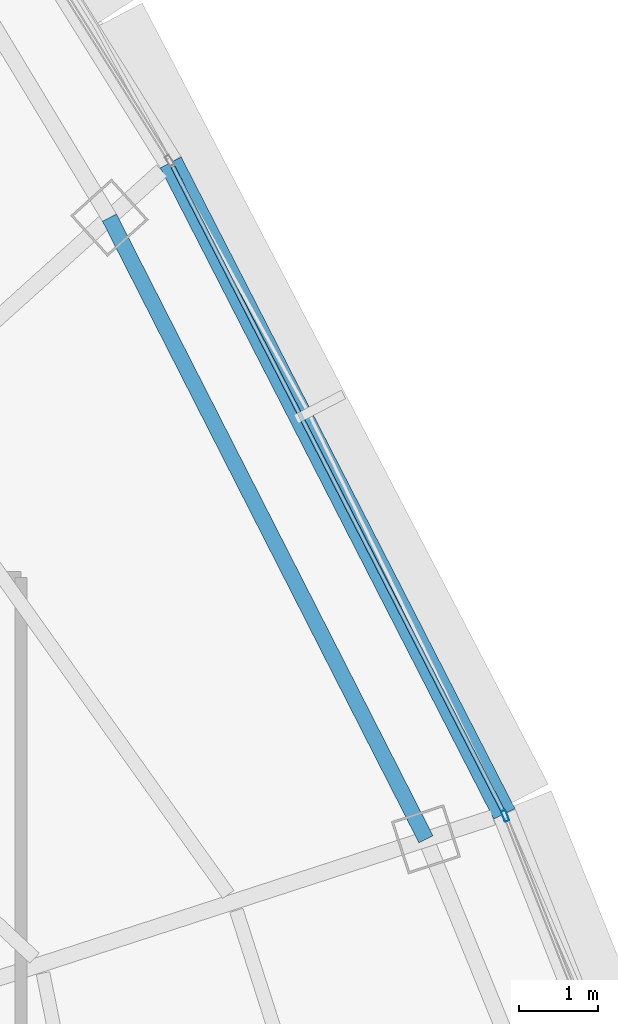
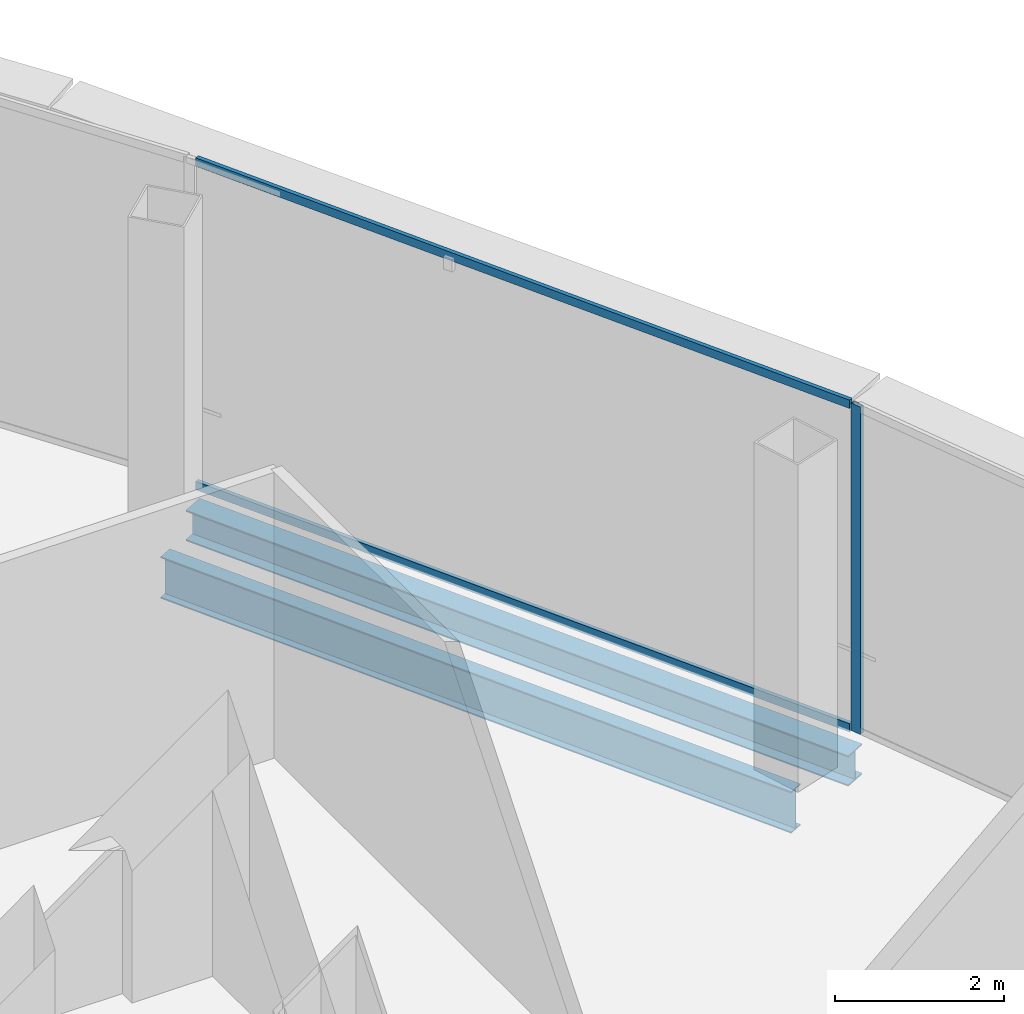
# One storey, part 16 of 29: 3 members, 2 beams, 2 elements without a shape of their own.
"""IFC4 building model written with IfcOpenShell, lengths in metres."""

from ifc_helpers import new_model, si_unit, direction, frame, origin, origin_2d, place, context, subcontext, project, spatial, hollow_rectangle, i_section, extrude, source, transform, mapped, material, layer, layer_set, material_profile, profile_set, type_object, element, aggregate, save


model = new_model("IFC4")

# Units and contexts
model_context = context("Model", 3, precision=1e-05, world=origin(), true_north=direction((0.0, 1.0)))
body_context = subcontext(model_context, "Body", "Model", "MODEL_VIEW")
ifc_project = project(units=[si_unit("LENGTHUNIT", "METRE"), si_unit("AREAUNIT", "SQUARE_METRE"), si_unit("VOLUMEUNIT", "CUBIC_METRE"), si_unit("PLANEANGLEUNIT", "RADIAN"), si_unit("MASSUNIT", "GRAM", prefix="KILO"), si_unit("THERMODYNAMICTEMPERATUREUNIT", "KELVIN"), si_unit("POWERUNIT", "WATT")], contexts=[model_context])

# Site, building, storey
site_placement = place(None, origin())
site = spatial("IfcSite", under=ifc_project, at=site_placement, CompositionType="ELEMENT")
building_placement = place(site_placement, origin())
building = spatial("IfcBuilding", under=site, at=building_placement, Name="Yunzhuo Pagoda Commons", CompositionType="ELEMENT")
storey_placement = place(building_placement, frame((0.0, 0.0, 366.760009765625)))
storey = spatial("IfcBuildingStorey", under=building, at=storey_placement, Name="L92", CompositionType="ELEMENT", Elevation=366.760009765625)

# Beams
ifc_material_1 = material(Name="Structural steel Q355B", Category="steel")
ifc_material_profile_1 = material_profile(ifc_material_1, i_section(OverallWidth=0.199951171875, OverallDepth=0.60009765625, WebThickness=0.010986328125, FlangeThickness=0.01708984375, at=origin_2d()), Name="Structural steel Q355B")
ifc_profile_set_1 = profile_set([ifc_material_profile_1], Name="Structural steel Q355B")
beam_type_1 = type_object("IfcBeamType", Name="B-RG3 Beam HN 600x200x11x17", PredefinedType="BEAM", material=ifc_profile_set_1)
shared_shape_1 = source(origin(), body_context, "Body", "SweptSolid", [
    extrude(i_section(OverallWidth=0.199951171875, OverallDepth=0.60009765625, WebThickness=0.010986328125, FlangeThickness=0.01708984375, at=origin_2d()), origin(), (0.0, 0.0, 1.0), 8.87939453125),
])
beam_1_placement = place(storey_placement, frame((68.053466796875, 40.2158203125, -0.580078125), z_axis=(-0.453723535687, 0.891142498798, 0.0), x_axis=(-0.891142498798, -0.453723535687, 0.0)))
element("IfcBeam", 1, at=beam_1_placement, inside=storey, type_object=beam_type_1, Name="L92 column-ring beam 6", PredefinedType="BEAM", context=body_context, shape_type="MappedRepresentation", body=[
    mapped(shared_shape_1, transform((0.0, 0.0, 0.0), scale=1.0)),
])
ifc_material_profile_2 = material_profile(ifc_material_1, i_section(OverallWidth=0.300048828125, OverallDepth=0.43994140625, WebThickness=0.010986328125, FlangeThickness=0.01806640625, at=origin_2d()), Name="Structural steel Q355B")
ifc_profile_set_2 = profile_set([ifc_material_profile_2], Name="Structural steel Q355B")
beam_type_2 = type_object("IfcBeamType", Name="B-SP2 Beam HM 440x300x11x18", PredefinedType="BEAM", material=ifc_profile_set_2)
shared_shape_2 = source(origin(), body_context, "Body", "SweptSolid", [
    extrude(i_section(OverallWidth=0.300048828125, OverallDepth=0.43994140625, WebThickness=0.010986328125, FlangeThickness=0.01806640625, at=origin_2d()), origin(), (0.0, 0.0, 1.0), 9.3154296875),
])
beam_2_placement = place(storey_placement, frame((69.052001953125, 40.540283203125, -0.5), z_axis=(-0.455914353887, 0.89002365245, 0.0), x_axis=(-0.89002365245, -0.455914353887, 0.0)))
element("IfcBeam", 2, at=beam_2_placement, inside=storey, type_object=beam_type_2, Name="L92 facade edge spandrel beam F2.2", PredefinedType="BEAM", context=body_context, shape_type="MappedRepresentation", body=[
    mapped(shared_shape_2, transform((0.0, 0.0, 0.0), scale=1.0)),
])

# Curtain wall, member
ifc_material_2 = material(Name="Anodized aluminium 6063-T6", Category="aluminium")
ifc_layer = layer(ifc_material_2, 0.139892578125)
ifc_layer_set = layer_set([ifc_layer], Name="Anodized aluminium 6063-T6")
curtain_wall_type = type_object("IfcCurtainWallType", Name="CW-HI High-Zone Ribbon Curtain Wall", PredefinedType="NOTDEFINED", material=ifc_layer_set)
curtain_wall_1_placement = place(storey_placement, origin())
curtain_wall_1 = element("IfcCurtainWall", 3, at=curtain_wall_1_placement, inside=storey, type_object=curtain_wall_type, Name="L92 curtain wall CW-L92-F2B2", PredefinedType="NOTDEFINED")
ifc_material_profile_3 = material_profile(ifc_material_2, hollow_rectangle(XDim=0.06005859375, YDim=0.139892578125, WallThickness=0.00341796875, at=origin_2d()), Name="Anodized aluminium 6063-T6")
ifc_profile_set_3 = profile_set([ifc_material_profile_3], Name="Anodized aluminium 6063-T6")
member_type_1 = type_object("IfcMemberType", Name="CW-HI-M Mullion RHS 140x60x3.5", PredefinedType="MULLION", material=ifc_profile_set_3)
shared_shape_3 = source(origin(), body_context, "Body", "SweptSolid", [
    extrude(hollow_rectangle(XDim=0.06005859375, YDim=0.139892578125, WallThickness=0.00341796875, at=origin_2d()), origin(), (0.0, 0.0, 1.0), 4.72021484375),
])
member_1_placement = place(storey_placement, frame((69.06298828125, 40.51220703125, 0.0), z_axis=(0.0, 0.0, 1.0), x_axis=(-0.930802876709, -0.365521551636, 0.0)))
member_1 = element("IfcMember", 4, at=member_1_placement, type_object=member_type_1, Name="CW mullion 2", PredefinedType="MULLION", context=body_context, shape_type="MappedRepresentation", body=[
    mapped(shared_shape_3, transform((0.0, 0.0, 0.0), scale=1.0)),
])
aggregate(curtain_wall_1, [member_1])

# Curtain wall, members
curtain_wall_2_placement = place(storey_placement, origin())
curtain_wall_2 = element("IfcCurtainWall", 5, at=curtain_wall_2_placement, inside=storey, type_object=curtain_wall_type, Name="L92 curtain wall CW-L92-F2B3", PredefinedType="NOTDEFINED")
ifc_material_profile_4 = material_profile(ifc_material_2, hollow_rectangle(XDim=0.054931640625, YDim=0.1201171875, WallThickness=0.00341796875, at=origin_2d()), Name="Anodized aluminium 6063-T6")
ifc_profile_set_4 = profile_set([ifc_material_profile_4], Name="Anodized aluminium 6063-T6")
member_type_2 = type_object("IfcMemberType", Name="CW-HI-T Transom RHS 120x55x3.5", PredefinedType="USERDEFINED", material=ifc_profile_set_4)
shared_shape_4 = source(origin(), body_context, "Body", "SweptSolid", [
    extrude(hollow_rectangle(XDim=0.054931640625, YDim=0.1201171875, WallThickness=0.00341796875, at=origin_2d()), origin(), (0.0, 0.0, 1.0), 9.195556640625),
])
member_2_placement = place(storey_placement, frame((69.024658203125, 40.593505859375, 0.027587890625), z_axis=(-0.45591126486, 0.890025234796, 0.0), x_axis=(-0.890025234796, -0.45591126486, 0.0)))
member_2 = element("IfcMember", 6, at=member_2_placement, type_object=member_type_2, Name="CW transom 1.1", ObjectType="TRANSOM", PredefinedType="USERDEFINED", context=body_context, shape_type="MappedRepresentation", body=[
    mapped(shared_shape_4, transform((0.0, 0.0, 0.0), scale=1.0)),
])
member_3_placement = place(storey_placement, frame((69.024658203125, 40.593505859375, 4.6923828125), z_axis=(-0.45591126486, 0.890025234796, 0.0), x_axis=(-0.890025234796, -0.45591126486, 0.0)))
member_3 = element("IfcMember", 7, at=member_3_placement, type_object=member_type_2, Name="CW transom 1.2", ObjectType="TRANSOM", PredefinedType="USERDEFINED", context=body_context, shape_type="MappedRepresentation", body=[
    mapped(shared_shape_4, transform((0.0, 0.0, 0.0), scale=1.0)),
])
aggregate(curtain_wall_2, [member_2, member_3])

save(model, "model.ifc")
